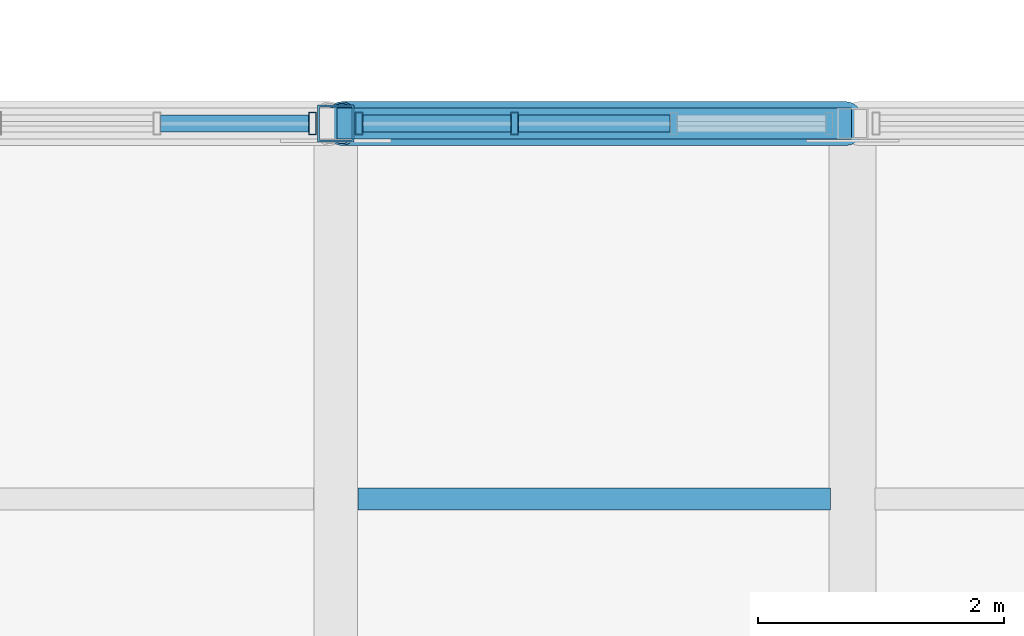
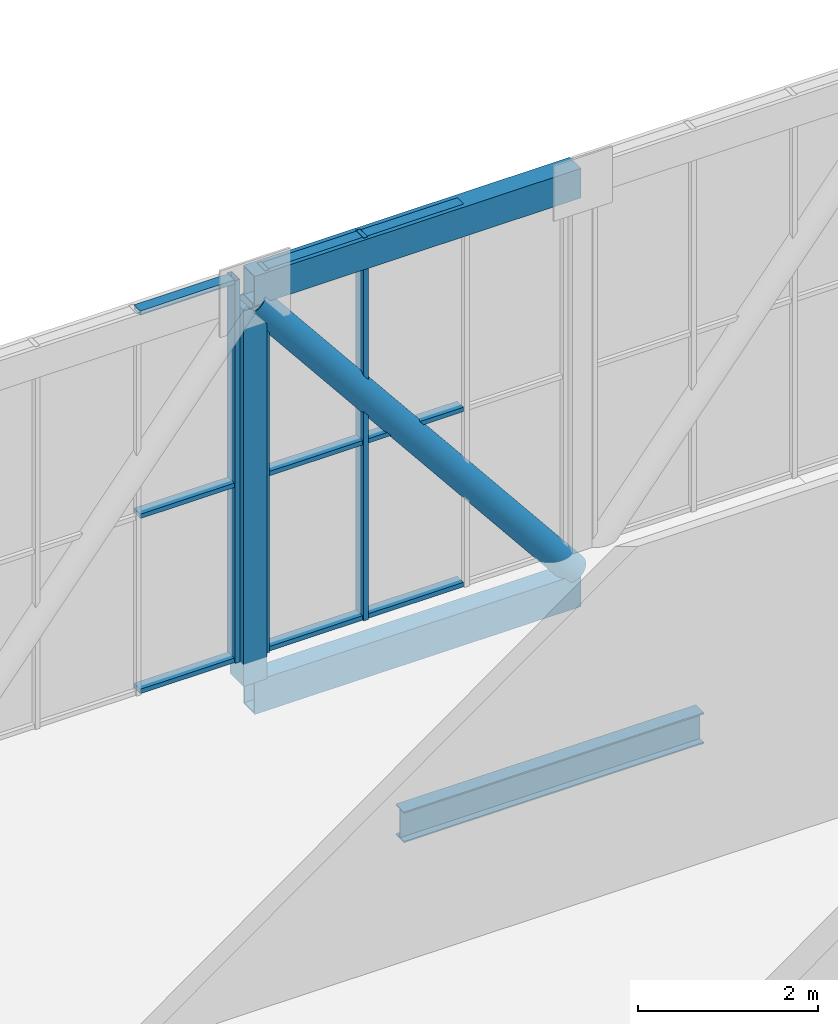
# One storey, part 16 of 58: 16 members, 1 beam, 2 elements without a shape of their own.
"""IFC4 building model written with IfcOpenShell, lengths in metres."""

from ifc_helpers import new_model, si_unit, direction, frame, origin, origin_2d, place, context, subcontext, project, spatial, hollow_rectangle, hollow_circle, i_section, extrude, material, material_profile, profile_set, type_object, element, aggregate, save


model = new_model("IFC4")

# Units and contexts
model_context = context("Model", 3, precision=1e-05, world=origin(), true_north=direction((0.0, 1.0)))
body_context = subcontext(model_context, "Body", "Model", "MODEL_VIEW")
ifc_project = project(units=[si_unit("LENGTHUNIT", "METRE"), si_unit("AREAUNIT", "SQUARE_METRE"), si_unit("VOLUMEUNIT", "CUBIC_METRE"), si_unit("PLANEANGLEUNIT", "RADIAN"), si_unit("MASSUNIT", "GRAM", prefix="KILO")], contexts=[model_context])

# Site, building, storey
site_placement = place(None, origin())
site = spatial("IfcSite", under=ifc_project, at=site_placement, CompositionType="ELEMENT")
building_placement = place(site_placement, origin())
building = spatial("IfcBuilding", under=site, at=building_placement, Name="Khurvash Pelagic Aquarium", CompositionType="ELEMENT")
storey_placement = place(building_placement, frame((0.0, 0.0, 24.60009765625)))
storey = spatial("IfcBuildingStorey", under=building, at=storey_placement, Name="L05", CompositionType="ELEMENT", Elevation=24.60009765625)

# Curtain wall, member
ifc_material_1 = material(Name="Anodised aluminium and low-E laminated glass", Category="aluminium")
curtain_wall_type = type_object("IfcCurtainWallType", Name="CW-01", PredefinedType="USERDEFINED", material=ifc_material_1)
curtain_wall_1_placement = place(storey_placement, origin())
curtain_wall_1 = element("IfcCurtainWall", 1, at=curtain_wall_1_placement, inside=storey, type_object=curtain_wall_type, Name="L05 North Sky-Bar Unitised Curtain Wall CW-01 P07", ObjectType="UNITISED CURTAIN WALL", PredefinedType="USERDEFINED")
ifc_material_2 = material(Name="Extruded aluminium AW-6063-T6", Category="aluminium")
ifc_material_profile_1 = material_profile(ifc_material_2, hollow_rectangle(XDim=0.06005859375, YDim=0.179931640625, WallThickness=0.00390625, at=origin_2d()), Name="CWM60X180X4")
ifc_profile_set_1 = profile_set([ifc_material_profile_1], Name="Extruded aluminium AW-6063-T6")
member_type_1 = type_object("IfcMemberType", Name="CM-01", PredefinedType="MULLION", material=ifc_profile_set_1)
member_1_placement = place(storey_placement, frame((41.81005859375, 29.75, 0.0), z_axis=(0.0, 0.0, 1.0), x_axis=(1.0, 0.0, 0.0)))
member_1 = element("IfcMember", 2, at=member_1_placement, type_object=member_type_1, Name="CW-01 mullion 4", PredefinedType="MULLION", context=body_context, shape_type="SweptSolid", body=[
    extrude(hollow_rectangle(XDim=0.06005859375, YDim=0.179931640625, WallThickness=0.00390625, at=origin_2d()), origin(), (0.0, 0.0, 1.0), 5.179931640625),
])

# Curtain wall, members
curtain_wall_2_placement = place(storey_placement, origin())
curtain_wall_2 = element("IfcCurtainWall", 3, at=curtain_wall_2_placement, inside=storey, type_object=curtain_wall_type, Name="L05 North Sky-Bar Unitised Curtain Wall CW-01 P08", ObjectType="UNITISED CURTAIN WALL", PredefinedType="USERDEFINED")
member_2_placement = place(storey_placement, frame((42.18994140625, 29.75, 0.0), z_axis=(0.0, 0.0, 1.0), x_axis=(1.0, 0.0, 0.0)))
member_2 = element("IfcMember", 4, at=member_2_placement, type_object=member_type_1, Name="CW-01 mullion 1", PredefinedType="MULLION", context=body_context, shape_type="SweptSolid", body=[
    extrude(hollow_rectangle(XDim=0.06005859375, YDim=0.179931640625, WallThickness=0.00390625, at=origin_2d()), origin(), (0.0, 0.0, 1.0), 5.179931640625),
])
member_3_placement = place(storey_placement, frame((43.453369140625, 29.75, 0.0), z_axis=(0.0, 0.0, 1.0), x_axis=(1.0, 0.0, 0.0)))
member_3 = element("IfcMember", 5, at=member_3_placement, type_object=member_type_1, Name="CW-01 mullion 2", PredefinedType="MULLION", context=body_context, shape_type="SweptSolid", body=[
    extrude(hollow_rectangle(XDim=0.06005859375, YDim=0.179931640625, WallThickness=0.00390625, at=origin_2d()), origin(), (0.0, 0.0, 1.0), 5.179931640625),
])

# Member
ifc_material_profile_2 = material_profile(ifc_material_2, hollow_rectangle(XDim=0.139892578125, YDim=0.06005859375, WallThickness=0.00390625, at=origin_2d()), Name="CWT140X60X4")
ifc_profile_set_2 = profile_set([ifc_material_profile_2], Name="Extruded aluminium AW-6063-T6")
member_type_2 = type_object("IfcMemberType", Name="CT-01", PredefinedType="USERDEFINED", material=ifc_profile_set_2)
member_4_placement = place(storey_placement, frame((40.57666015625, 29.75, 0.02978515625), z_axis=(1.0, 0.0, 0.0), x_axis=(0.0, 1.0, 0.0)))
member_4 = element("IfcMember", 6, at=member_4_placement, type_object=member_type_2, Name="CW-01 transom 3.1", ObjectType="TRANSOM", PredefinedType="USERDEFINED", context=body_context, shape_type="SweptSolid", body=[
    extrude(hollow_rectangle(XDim=0.139892578125, YDim=0.06005859375, WallThickness=0.00390625, at=origin_2d()), origin(), (0.0, 0.0, 1.0), 1.203369140625),
])

member_5_placement = place(storey_placement, frame((40.57666015625, 29.75, 2.39990234375), z_axis=(1.0, 0.0, 0.0), x_axis=(0.0, 1.0, 0.0)))
member_5 = element("IfcMember", 7, at=member_5_placement, type_object=member_type_2, Name="CW-01 transom 3.2", ObjectType="TRANSOM", PredefinedType="USERDEFINED", context=body_context, shape_type="SweptSolid", body=[
    extrude(hollow_rectangle(XDim=0.139892578125, YDim=0.06005859375, WallThickness=0.00390625, at=origin_2d()), origin(), (0.0, 0.0, 1.0), 1.203369140625),
])

member_6_placement = place(storey_placement, frame((40.57666015625, 29.75, 5.14990234375), z_axis=(1.0, 0.0, 0.0), x_axis=(0.0, 1.0, 0.0)))
member_6 = element("IfcMember", 8, at=member_6_placement, type_object=member_type_2, Name="CW-01 transom 3.3", ObjectType="TRANSOM", PredefinedType="USERDEFINED", context=body_context, shape_type="SweptSolid", body=[
    extrude(hollow_rectangle(XDim=0.139892578125, YDim=0.06005859375, WallThickness=0.00390625, at=origin_2d()), origin(), (0.0, 0.0, 1.0), 1.203369140625),
])

aggregate(curtain_wall_1, [member_1, member_4, member_5, member_6])

member_7_placement = place(storey_placement, frame((42.219970703125, 29.75, 0.02978515625), z_axis=(1.0, 0.0, 0.0), x_axis=(0.0, 1.0, 0.0)))
member_7 = element("IfcMember", 9, at=member_7_placement, type_object=member_type_2, Name="CW-01 transom 1.1", ObjectType="TRANSOM", PredefinedType="USERDEFINED", context=body_context, shape_type="SweptSolid", body=[
    extrude(hollow_rectangle(XDim=0.139892578125, YDim=0.06005859375, WallThickness=0.00390625, at=origin_2d()), origin(), (0.0, 0.0, 1.0), 1.203369140625),
])

member_8_placement = place(storey_placement, frame((42.219970703125, 29.75, 2.39990234375), z_axis=(1.0, 0.0, 0.0), x_axis=(0.0, 1.0, 0.0)))
member_8 = element("IfcMember", 10, at=member_8_placement, type_object=member_type_2, Name="CW-01 transom 1.2", ObjectType="TRANSOM", PredefinedType="USERDEFINED", context=body_context, shape_type="SweptSolid", body=[
    extrude(hollow_rectangle(XDim=0.139892578125, YDim=0.06005859375, WallThickness=0.00390625, at=origin_2d()), origin(), (0.0, 0.0, 1.0), 1.203369140625),
])

member_9_placement = place(storey_placement, frame((42.219970703125, 29.75, 5.14990234375), z_axis=(1.0, 0.0, 0.0), x_axis=(0.0, 1.0, 0.0)))
member_9 = element("IfcMember", 11, at=member_9_placement, type_object=member_type_2, Name="CW-01 transom 1.3", ObjectType="TRANSOM", PredefinedType="USERDEFINED", context=body_context, shape_type="SweptSolid", body=[
    extrude(hollow_rectangle(XDim=0.139892578125, YDim=0.06005859375, WallThickness=0.00390625, at=origin_2d()), origin(), (0.0, 0.0, 1.0), 1.203369140625),
])

member_10_placement = place(storey_placement, frame((43.4833984375, 29.75, 0.02978515625), z_axis=(1.0, 0.0, 0.0), x_axis=(0.0, 1.0, 0.0)))
member_10 = element("IfcMember", 12, at=member_10_placement, type_object=member_type_2, Name="CW-01 transom 2.1", ObjectType="TRANSOM", PredefinedType="USERDEFINED", context=body_context, shape_type="SweptSolid", body=[
    extrude(hollow_rectangle(XDim=0.139892578125, YDim=0.06005859375, WallThickness=0.00390625, at=origin_2d()), origin(), (0.0, 0.0, 1.0), 1.233154296875),
])

member_11_placement = place(storey_placement, frame((43.4833984375, 29.75, 2.39990234375), z_axis=(1.0, 0.0, 0.0), x_axis=(0.0, 1.0, 0.0)))
member_11 = element("IfcMember", 13, at=member_11_placement, type_object=member_type_2, Name="CW-01 transom 2.2", ObjectType="TRANSOM", PredefinedType="USERDEFINED", context=body_context, shape_type="SweptSolid", body=[
    extrude(hollow_rectangle(XDim=0.139892578125, YDim=0.06005859375, WallThickness=0.00390625, at=origin_2d()), origin(), (0.0, 0.0, 1.0), 1.233154296875),
])

member_12_placement = place(storey_placement, frame((43.4833984375, 29.75, 5.14990234375), z_axis=(1.0, 0.0, 0.0), x_axis=(0.0, 1.0, 0.0)))
member_12 = element("IfcMember", 14, at=member_12_placement, type_object=member_type_2, Name="CW-01 transom 2.3", ObjectType="TRANSOM", PredefinedType="USERDEFINED", context=body_context, shape_type="SweptSolid", body=[
    extrude(hollow_rectangle(XDim=0.139892578125, YDim=0.06005859375, WallThickness=0.00390625, at=origin_2d()), origin(), (0.0, 0.0, 1.0), 1.233154296875),
])

aggregate(curtain_wall_2, [member_2, member_3, member_7, member_8, member_9, member_10, member_11, member_12])

# Beam
ifc_material_3 = material(Name="Steel ASTM A992 Grade 50", Category="steel")
ifc_material_profile_3 = material_profile(ifc_material_3, i_section(OverallWidth=0.180908203125, OverallDepth=0.4169921875, WebThickness=0.010986328125, FlangeThickness=0.018310546875, at=origin_2d()), Name="W16X57")
ifc_profile_set_3 = profile_set([ifc_material_profile_3], Name="Steel ASTM A992 Grade 50")
beam_type = type_object("IfcBeamType", Name="JS-03", PredefinedType="JOIST", material=ifc_profile_set_3)
beam_placement = place(storey_placement, frame((42.179931640625, 26.699951171875, -0.508544921875), z_axis=(1.0, 0.0, 0.0), x_axis=(0.0, 1.0, 0.0)))
element("IfcBeam", 15, at=beam_placement, inside=storey, type_object=beam_type, Name="L05 Sky-Bar Floor Joist JS-03 P08", PredefinedType="JOIST", context=body_context, shape_type="SweptSolid", body=[
    extrude(i_section(OverallWidth=0.180908203125, OverallDepth=0.4169921875, WebThickness=0.010986328125, FlangeThickness=0.018310546875, at=origin_2d()), origin(), (0.0, 0.0, 1.0), 3.840087890625),
])

# Members
ifc_material_4 = material(Name="Steel S355J2", Category="steel")
ifc_material_profile_4 = material_profile(ifc_material_4, hollow_rectangle(XDim=0.25, YDim=0.449951171875, WallThickness=0.02001953125, at=origin_2d()), Name="RHS450X250X20")
ifc_profile_set_4 = profile_set([ifc_material_profile_4], Name="Steel S355J2")
member_type_3 = type_object("IfcMemberType", Name="TC-01", PredefinedType="CHORD", material=ifc_profile_set_4)
member_13_placement = place(storey_placement, frame((42.010009765625, 29.75, -0.525146484375), z_axis=(1.0, 0.0, 0.0), x_axis=(0.0, 1.0, 0.0)))
element("IfcMember", 16, at=member_13_placement, inside=storey, type_object=member_type_3, Name="L05 North Sky-Bar Warren Truss Bottom Chord TC-01 P08", PredefinedType="CHORD", context=body_context, shape_type="SweptSolid", body=[
    extrude(hollow_rectangle(XDim=0.25, YDim=0.449951171875, WallThickness=0.02001953125, at=origin_2d()), origin(), (0.0, 0.0, 1.0), 4.179931640625),
])
ifc_material_profile_5 = material_profile(ifc_material_4, hollow_rectangle(XDim=0.25, YDim=0.39990234375, WallThickness=0.01611328125, at=origin_2d()), Name="RHS400X250X16")
ifc_profile_set_5 = profile_set([ifc_material_profile_5], Name="Steel S355J2")
member_type_4 = type_object("IfcMemberType", Name="TC-02", PredefinedType="CHORD", material=ifc_profile_set_5)
member_14_placement = place(storey_placement, frame((42.010009765625, 29.75, 4.97998046875), z_axis=(1.0, 0.0, 0.0), x_axis=(0.0, 1.0, 0.0)))
element("IfcMember", 17, at=member_14_placement, inside=storey, type_object=member_type_4, Name="L05 North Sky-Bar Warren Truss Top Chord TC-02 P08", PredefinedType="CHORD", context=body_context, shape_type="SweptSolid", body=[
    extrude(hollow_rectangle(XDim=0.25, YDim=0.39990234375, WallThickness=0.01611328125, at=origin_2d()), origin(), (0.0, 0.0, 1.0), 4.179931640625),
])
ifc_material_profile_6 = material_profile(ifc_material_4, hollow_circle(Radius=0.177734375, WallThickness=0.01416015625, at=origin_2d()), Name="CHS355X14")
ifc_profile_set_6 = profile_set([ifc_material_profile_6], Name="Steel S355J2")
member_type_5 = type_object("IfcMemberType", Name="TD-02", PredefinedType="BRACE", material=ifc_profile_set_6)
member_15_placement = place(storey_placement, frame((42.050048828125, 29.75, 4.77978515625), z_axis=(0.628050658275, 0.0, -0.778172455591), x_axis=(0.0, 1.0, 0.0)))
element("IfcMember", 18, at=member_15_placement, inside=storey, type_object=member_type_5, Name="L05 North Sky-Bar Warren Truss Diagonal TD-02 P08", PredefinedType="BRACE", context=body_context, shape_type="SweptSolid", body=[
    extrude(hollow_circle(Radius=0.177734375, WallThickness=0.01416015625, at=origin_2d()), origin(), (0.0, 0.0, 1.0), 6.52783203125),
])
ifc_material_profile_7 = material_profile(ifc_material_4, hollow_rectangle(XDim=0.300048828125, YDim=0.300048828125, WallThickness=0.01611328125, at=origin_2d()), Name="SHS300X300X16")
ifc_profile_set_7 = profile_set([ifc_material_profile_7], Name="Steel S355J2")
member_type_6 = type_object("IfcMemberType", Name="TV-01", PredefinedType="POST", material=ifc_profile_set_7)
member_16_placement = place(storey_placement, frame((42.0, 29.75, -0.300048828125), z_axis=(0.0, 0.0, 1.0), x_axis=(1.0, 0.0, 0.0)))
element("IfcMember", 19, at=member_16_placement, inside=storey, type_object=member_type_6, Name="L05 North Sky-Bar Truss Post TV-01 N08", PredefinedType="POST", context=body_context, shape_type="SweptSolid", body=[
    extrude(hollow_rectangle(XDim=0.300048828125, YDim=0.300048828125, WallThickness=0.01611328125, at=origin_2d()), origin(), (0.0, 0.0, 1.0), 5.079833984375),
])

save(model, "model.ifc")
